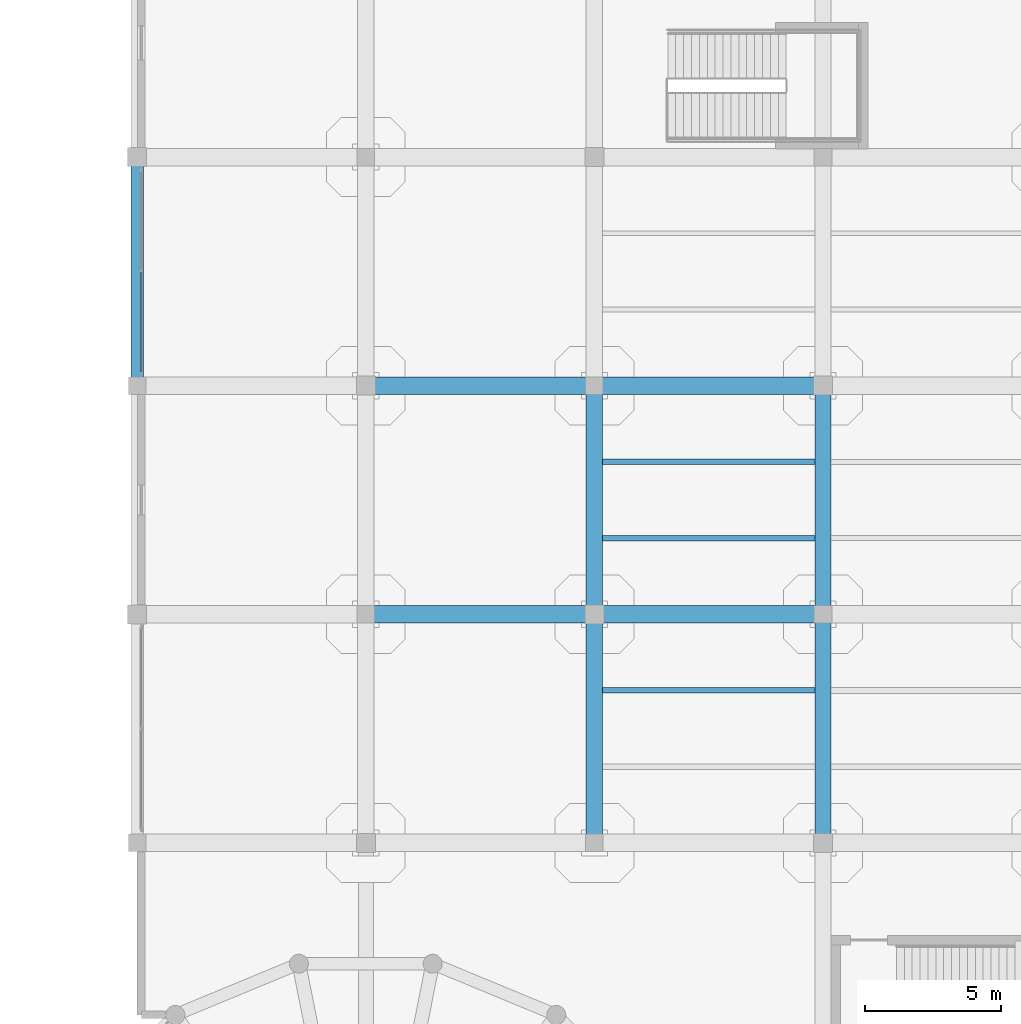
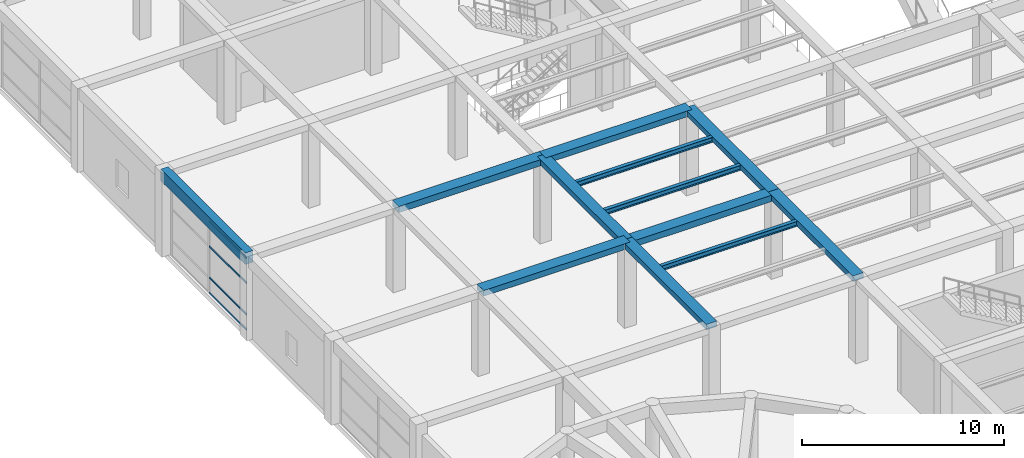
# One storey, part 19 of 96: 12 beams, 4 members, 1 element without a shape of its own.
"""IFC4 building model written with IfcOpenShell, lengths in metres."""

from ifc_helpers import new_model, si_unit, direction, frame, origin, origin_2d, place, context, subcontext, project, spatial, rectangle, hollow_rectangle, i_section, extrude, material, material_profile, profile_set, type_object, element, aggregate, save


model = new_model("IFC4")

# Units and contexts
model_context = context("Model", 3, precision=1e-05, world=origin(), true_north=direction((0.0, 1.0)))
body_context = subcontext(model_context, "Body", "Model", "MODEL_VIEW")
ifc_project = project(units=[si_unit("LENGTHUNIT", "METRE"), si_unit("AREAUNIT", "SQUARE_METRE"), si_unit("VOLUMEUNIT", "CUBIC_METRE"), si_unit("PLANEANGLEUNIT", "RADIAN"), si_unit("MASSUNIT", "GRAM", prefix="KILO")], contexts=[model_context])

# Site, building, storey
site_placement = place(None, origin())
site = spatial("IfcSite", under=ifc_project, at=site_placement, CompositionType="ELEMENT")
building_placement = place(site_placement, origin())
building = spatial("IfcBuilding", under=site, at=building_placement, Name="Almacenes y Pasaje Nevantli", CompositionType="ELEMENT")
storey_placement = place(building_placement, frame((0.0, 0.0, 6.0)))
storey = spatial("IfcBuildingStorey", under=building, at=storey_placement, Name="L02", CompositionType="ELEMENT", Elevation=6.0)

# Beams
ifc_material_1 = material(Name="Concrete C35/45", Category="concrete")
ifc_material_profile_1 = material_profile(ifc_material_1, rectangle(XDim=0.449951171875, YDim=0.699951171875, at=origin_2d()), Name="RC-BM-450x700")
ifc_profile_set_1 = profile_set([ifc_material_profile_1], Name="Concrete C35/45")
beam_type_1 = type_object("IfcBeamType", Name="BM-RC-450x700", PredefinedType="SPANDREL", material=ifc_profile_set_1)
beam_1_placement = place(storey_placement, frame((0.0, 42.0, 4.75), z_axis=(0.0, 1.0, 0.0), x_axis=(-1.0, 0.0, 0.0)))
element("IfcBeam", 1, at=beam_1_placement, inside=storey, type_object=beam_type_1, Name="L02 North-South Reinforced Concrete Beam #1968", PredefinedType="SPANDREL", context=body_context, shape_type="SweptSolid", body=[
    extrude(rectangle(XDim=0.449951171875, YDim=0.699951171875, at=origin_2d()), origin(), (0.0, 0.0, 1.0), 8.39990234375),
])
ifc_material_2 = material(Name="Concrete C35/45", Category="concrete")
ifc_material_profile_2 = material_profile(ifc_material_2, rectangle(XDim=0.60009765625, YDim=0.320068359375, at=origin_2d()), Name="RC-BM-600x320")
ifc_profile_set_2 = profile_set([ifc_material_profile_2], Name="Concrete C35/45")
beam_type_2 = type_object("IfcBeamType", Name="BM-RC-600x320", PredefinedType="BEAM", material=ifc_profile_set_2)
beam_2_placement = place(storey_placement, frame((16.800048828125, 25.199951171875, 4.93994140625), z_axis=(0.0, 1.0, 0.0), x_axis=(-1.0, 0.0, 0.0)))
element("IfcBeam", 2, at=beam_2_placement, inside=storey, type_object=beam_type_2, Name="L02 North-South Reinforced Concrete Beam #1988", PredefinedType="BEAM", context=body_context, shape_type="SweptSolid", body=[
    extrude(rectangle(XDim=0.60009765625, YDim=0.320068359375, at=origin_2d()), origin(), (0.0, 0.0, 1.0), 8.400146484375),
])
beam_3_placement = place(storey_placement, frame((25.199951171875, 33.60009765625, 4.93994140625), z_axis=(0.0, 1.0, 0.0), x_axis=(-1.0, 0.0, 0.0)))
element("IfcBeam", 3, at=beam_3_placement, inside=storey, type_object=beam_type_2, Name="L02 North-South Reinforced Concrete Beam #2001", PredefinedType="BEAM", context=body_context, shape_type="SweptSolid", body=[
    extrude(rectangle(XDim=0.60009765625, YDim=0.320068359375, at=origin_2d()), origin(), (0.0, 0.0, 1.0), 8.39990234375),
])
ifc_material_3 = material(Name="Concrete C35/45", Category="concrete")
ifc_material_profile_3 = material_profile(ifc_material_3, rectangle(XDim=0.60009765625, YDim=0.340087890625, at=origin_2d()), Name="RC-BM-600x340")
ifc_profile_set_3 = profile_set([ifc_material_profile_3], Name="Concrete C35/45")
beam_type_3 = type_object("IfcBeamType", Name="BM-RC-600x340", PredefinedType="BEAM", material=ifc_profile_set_3)
beam_4_placement = place(storey_placement, frame((16.800048828125, 33.60009765625, 4.929931640625), z_axis=(0.0, 1.0, 0.0), x_axis=(-1.0, 0.0, 0.0)))
element("IfcBeam", 4, at=beam_4_placement, inside=storey, type_object=beam_type_3, Name="L02 North-South Reinforced Concrete Beam #1989", PredefinedType="BEAM", context=body_context, shape_type="SweptSolid", body=[
    extrude(rectangle(XDim=0.60009765625, YDim=0.340087890625, at=origin_2d()), origin(), (0.0, 0.0, 1.0), 8.39990234375),
])
beam_5_placement = place(storey_placement, frame((25.199951171875, 25.199951171875, 4.929931640625), z_axis=(0.0, 1.0, 0.0), x_axis=(-1.0, 0.0, 0.0)))
element("IfcBeam", 5, at=beam_5_placement, inside=storey, type_object=beam_type_3, Name="L02 North-South Reinforced Concrete Beam #2000", PredefinedType="BEAM", context=body_context, shape_type="SweptSolid", body=[
    extrude(rectangle(XDim=0.60009765625, YDim=0.340087890625, at=origin_2d()), origin(), (0.0, 0.0, 1.0), 8.400146484375),
])
ifc_material_4 = material(Name="Concrete C35/45", Category="concrete")
ifc_material_profile_4 = material_profile(ifc_material_4, rectangle(XDim=0.64990234375, YDim=0.35009765625, at=origin_2d()), Name="RC-BM-650x350")
ifc_profile_set_4 = profile_set([ifc_material_profile_4], Name="Concrete C35/45")
beam_type_4 = type_object("IfcBeamType", Name="BM-RC-650x350", PredefinedType="BEAM", material=ifc_profile_set_4)
beam_6_placement = place(storey_placement, frame((8.39990234375, 33.60009765625, 4.925048828125), z_axis=(1.0, 0.0, 0.0), x_axis=(0.0, 1.0, 0.0)))
element("IfcBeam", 6, at=beam_6_placement, inside=storey, type_object=beam_type_4, Name="L02 East-West Reinforced Concrete Beam #1786", PredefinedType="BEAM", context=body_context, shape_type="SweptSolid", body=[
    extrude(rectangle(XDim=0.64990234375, YDim=0.35009765625, at=origin_2d()), origin(), (0.0, 0.0, 1.0), 8.400146484375),
])
beam_7_placement = place(storey_placement, frame((16.800048828125, 42.0, 4.925048828125), z_axis=(1.0, 0.0, 0.0), x_axis=(0.0, 1.0, 0.0)))
element("IfcBeam", 7, at=beam_7_placement, inside=storey, type_object=beam_type_4, Name="L02 East-West Reinforced Concrete Beam #1804", PredefinedType="BEAM", context=body_context, shape_type="SweptSolid", body=[
    extrude(rectangle(XDim=0.64990234375, YDim=0.35009765625, at=origin_2d()), origin(), (0.0, 0.0, 1.0), 8.39990234375),
])
ifc_material_5 = material(Name="Concrete C35/45", Category="concrete")
ifc_material_profile_5 = material_profile(ifc_material_5, rectangle(XDim=0.64990234375, YDim=0.3798828125, at=origin_2d()), Name="RC-BM-650x380")
ifc_profile_set_5 = profile_set([ifc_material_profile_5], Name="Concrete C35/45")
beam_type_5 = type_object("IfcBeamType", Name="BM-RC-650x380", PredefinedType="BEAM", material=ifc_profile_set_5)
beam_8_placement = place(storey_placement, frame((16.800048828125, 33.60009765625, 4.909912109375), z_axis=(1.0, 0.0, 0.0), x_axis=(0.0, 1.0, 0.0)))
element("IfcBeam", 8, at=beam_8_placement, inside=storey, type_object=beam_type_5, Name="L02 East-West Reinforced Concrete Beam #1787", PredefinedType="BEAM", context=body_context, shape_type="SweptSolid", body=[
    extrude(rectangle(XDim=0.64990234375, YDim=0.3798828125, at=origin_2d()), origin(), (0.0, 0.0, 1.0), 8.39990234375),
])
beam_9_placement = place(storey_placement, frame((8.39990234375, 42.0, 4.909912109375), z_axis=(1.0, 0.0, 0.0), x_axis=(0.0, 1.0, 0.0)))
element("IfcBeam", 9, at=beam_9_placement, inside=storey, type_object=beam_type_5, Name="L02 East-West Reinforced Concrete Beam #1803", PredefinedType="BEAM", context=body_context, shape_type="SweptSolid", body=[
    extrude(rectangle(XDim=0.64990234375, YDim=0.3798828125, at=origin_2d()), origin(), (0.0, 0.0, 1.0), 8.400146484375),
])
ifc_material_6 = material(Name="Steel ASTM A992", Category="steel")
ifc_material_profile_6 = material_profile(ifc_material_6, i_section(OverallWidth=0.202880859375, OverallDepth=0.304931640625, WebThickness=0.007568359375, FlangeThickness=0.01318359375, at=origin_2d()), Name="IR 305x59.5")
ifc_profile_set_6 = profile_set([ifc_material_profile_6], Name="Steel ASTM A992")
beam_type_6 = type_object("IfcBeamType", Name="BM-STL-IR-305x59p5", PredefinedType="JOIST", material=ifc_profile_set_6)
beam_10_placement = place(storey_placement, frame((17.10009765625, 30.800048828125, 4.939453125), z_axis=(1.0, 0.0, 0.0), x_axis=(0.0, 1.0, 0.0)))
element("IfcBeam", 10, at=beam_10_placement, inside=storey, type_object=beam_type_6, Name="L02 Secondary Steel Floor Joist #344", PredefinedType="JOIST", context=body_context, shape_type="SweptSolid", body=[
    extrude(i_section(OverallWidth=0.202880859375, OverallDepth=0.304931640625, WebThickness=0.007568359375, FlangeThickness=0.01318359375, at=origin_2d()), origin(), (0.0, 0.0, 1.0), 7.7998046875),
])
ifc_material_7 = material(Name="Steel ASTM A992", Category="steel")
ifc_material_profile_7 = material_profile(ifc_material_7, i_section(OverallWidth=0.205078125, OverallDepth=0.31005859375, WebThickness=0.009521484375, FlangeThickness=0.016357421875, at=origin_2d()), Name="IR 305x74.4")
ifc_profile_set_7 = profile_set([ifc_material_profile_7], Name="Steel ASTM A992")
beam_type_7 = type_object("IfcBeamType", Name="BM-STL-IR-305x74p4", PredefinedType="JOIST", material=ifc_profile_set_7)
for number, where, z_axis, x_axis, name in (
    (11, (17.10009765625, 36.39990234375, 4.93701171875), (1.0, 0.0, 0.0), (0.0, 1.0, 0.0), "L02 Secondary Steel Floor Joist #345"),
    (12, (17.10009765625, 39.199951171875, 4.93701171875), (1.0, 0.0, 0.0), (0.0, 1.0, 0.0), "L02 Secondary Steel Floor Joist #346"),
):
    element("IfcBeam", number, at=place(storey_placement, frame(where, z_axis=z_axis, x_axis=x_axis)), inside=storey, type_object=beam_type_7, Name=name, PredefinedType="JOIST", context=body_context, shape_type="SweptSolid", body=[
        extrude(i_section(OverallWidth=0.205078125, OverallDepth=0.31005859375, WebThickness=0.009521484375, FlangeThickness=0.016357421875, at=origin_2d()), origin(), (0.0, 0.0, 1.0), 7.7998046875),
    ])

# Curtain wall, members
ifc_material_8 = material(Name="Thermally Broken Aluminium and Low-E Glass", Category="aluminium")
curtain_wall_type = type_object("IfcCurtainWallType", Name="CW-UNIT-PODIUM", PredefinedType="USERDEFINED", material=ifc_material_8)
curtain_wall_placement = place(storey_placement, origin())
curtain_wall = element("IfcCurtainWall", 13, at=curtain_wall_placement, inside=storey, type_object=curtain_wall_type, Name="L02 West Avenue Unitized Curtain Wall Bay 6", ObjectType="UNITIZED CURTAIN WALL", PredefinedType="USERDEFINED")
ifc_material_9 = material(Name="Thermally Broken Anodized Aluminium", Category="aluminium")
ifc_material_profile_8 = material_profile(ifc_material_9, hollow_rectangle(XDim=0.054931640625, YDim=0.10498046875, WallThickness=0.003173828125, at=origin_2d()), Name="ALU-TRN-55x105")
ifc_profile_set_8 = profile_set([ifc_material_profile_8], Name="Thermally Broken Anodized Aluminium")
member_type = type_object("IfcMemberType", Name="CW-TRN-120", PredefinedType="USERDEFINED", material=ifc_profile_set_8)
member_1_placement = place(storey_placement, frame((0.14990234375, 42.5048828125, 0.027587890625), z_axis=(0.0, 1.0, 0.0), x_axis=(-1.0, 0.0, 0.0)))
member_1 = element("IfcMember", 14, at=member_1_placement, type_object=member_type, Name="CW-L02-016 transom 1.1", ObjectType="TRANSOM", PredefinedType="USERDEFINED", context=body_context, shape_type="SweptSolid", body=[
    extrude(hollow_rectangle(XDim=0.054931640625, YDim=0.10498046875, WallThickness=0.003173828125, at=origin_2d()), origin(), (0.0, 0.0, 1.0), 3.667724609375),
])
member_2_placement = place(storey_placement, frame((0.14990234375, 42.5048828125, 0.949951171875), z_axis=(0.0, 1.0, 0.0), x_axis=(-1.0, 0.0, 0.0)))
member_2 = element("IfcMember", 15, at=member_2_placement, type_object=member_type, Name="CW-L02-016 transom 1.2", ObjectType="TRANSOM", PredefinedType="USERDEFINED", context=body_context, shape_type="SweptSolid", body=[
    extrude(hollow_rectangle(XDim=0.054931640625, YDim=0.10498046875, WallThickness=0.003173828125, at=origin_2d()), origin(), (0.0, 0.0, 1.0), 3.667724609375),
])
member_3_placement = place(storey_placement, frame((0.14990234375, 42.5048828125, 2.85009765625), z_axis=(0.0, 1.0, 0.0), x_axis=(-1.0, 0.0, 0.0)))
member_3 = element("IfcMember", 16, at=member_3_placement, type_object=member_type, Name="CW-L02-016 transom 1.3", ObjectType="TRANSOM", PredefinedType="USERDEFINED", context=body_context, shape_type="SweptSolid", body=[
    extrude(hollow_rectangle(XDim=0.054931640625, YDim=0.10498046875, WallThickness=0.003173828125, at=origin_2d()), origin(), (0.0, 0.0, 1.0), 3.667724609375),
])
member_4_placement = place(storey_placement, frame((0.14990234375, 42.5048828125, 4.3525390625), z_axis=(0.0, 1.0, 0.0), x_axis=(-1.0, 0.0, 0.0)))
member_4 = element("IfcMember", 17, at=member_4_placement, type_object=member_type, Name="CW-L02-016 transom 1.4", ObjectType="TRANSOM", PredefinedType="USERDEFINED", context=body_context, shape_type="SweptSolid", body=[
    extrude(hollow_rectangle(XDim=0.054931640625, YDim=0.10498046875, WallThickness=0.003173828125, at=origin_2d()), origin(), (0.0, 0.0, 1.0), 3.667724609375),
])
aggregate(curtain_wall, [member_1, member_2, member_3, member_4])

save(model, "model.ifc")
